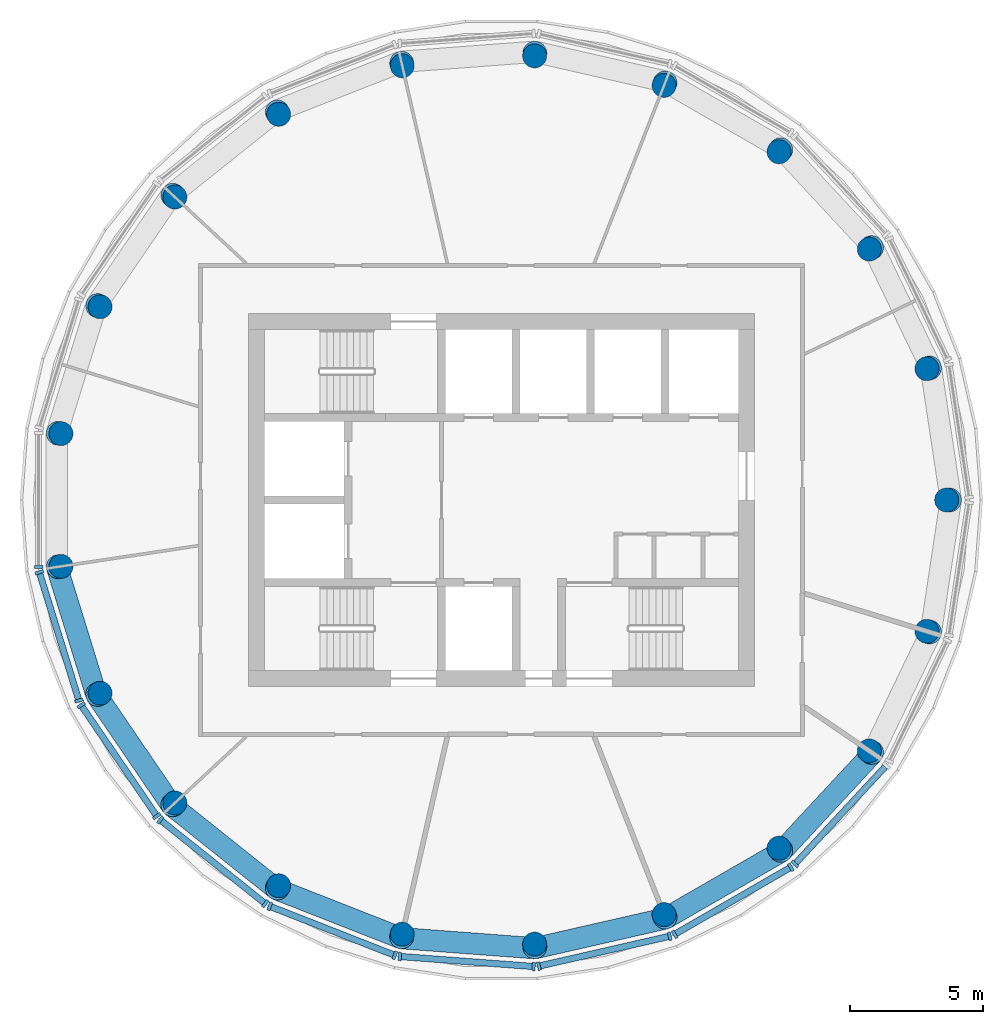
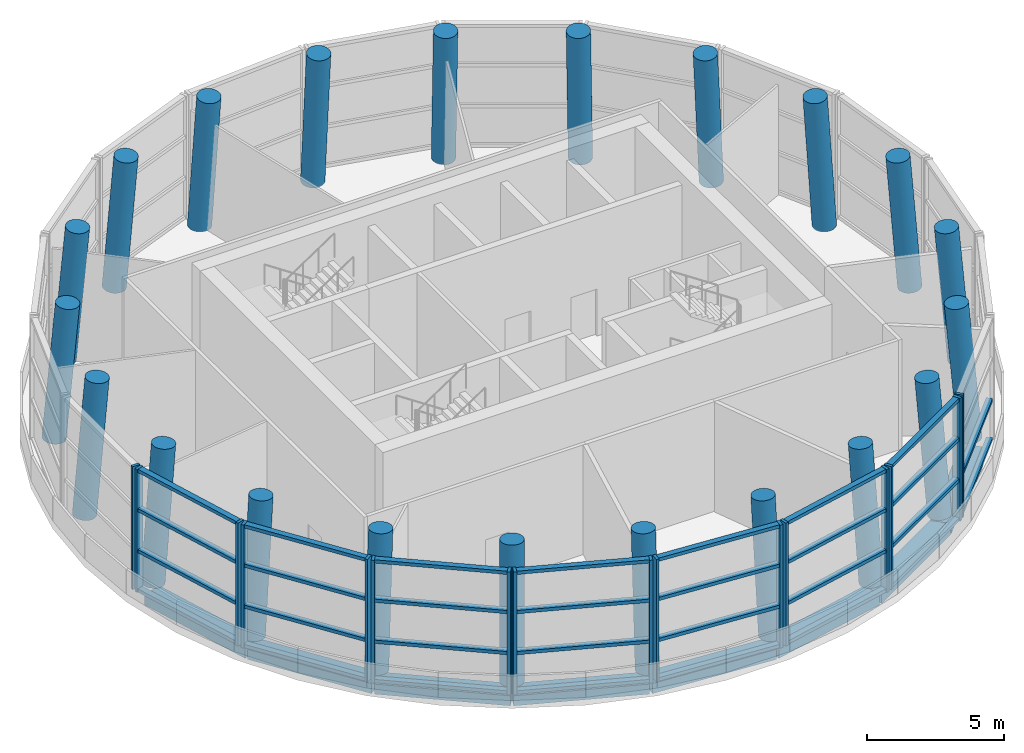
# One storey, part 1 of 10: 46 members, 21 columns, 8 beams, 9 elements without a shape of their own.
"""IFC4 building model written with IfcOpenShell, lengths in metres."""

import ifcopenshell
import ifcopenshell.guid

model = None  # the IFC model being written
_history = None  # IfcOwnerHistory: only IFC2X3 demands one
_inside = {}  # id of a spatial element -> (the spatial element, [elements in it])
_under = {}  # id of a project, library or spatial element -> (it, [spatial elements below it])
_declared = {}  # id of a project -> (the project, [libraries it declares])
_typed = {}  # id of a type object -> (the type object, [elements of that type])
_made_of = {}  # id of a material, layer set ... -> (it, [elements and type objects made of it])


def new_model(schema):
    """Start an empty IFC model of exactly this schema.

    Asked for "IFC4X3", IfcOpenShell would pick the latest addendum, in which some entities
    have other attributes; the version numbers below select the first issue.
    IFC2X3 requires an IfcOwnerHistory on every rooted entity: one is made here for all.
    """
    global model, _history
    if schema == "IFC4X3":
        model = ifcopenshell.file(schema_version=(4, 3, 0, 0))
    else:
        model = ifcopenshell.file(schema=schema)
    _inside.clear()
    _under.clear()
    _declared.clear()
    _typed.clear()
    _made_of.clear()
    _history = None
    if model.schema == "IFC2X3":
        org = make("IfcOrganization", Name="unknown")
        user = make(
            "IfcPersonAndOrganization",
            ThePerson=make("IfcPerson", FamilyName="unknown"),
            TheOrganization=org,
        )
        app = make(
            "IfcApplication",
            ApplicationDeveloper=org,
            Version="unknown",
            ApplicationFullName="unknown",
            ApplicationIdentifier="unknown",
        )
        _history = make(
            "IfcOwnerHistory",
            OwningUser=user,
            OwningApplication=app,
            ChangeAction="ADDED",
            CreationDate=0,
        )
    return model


def make(cls, **values):
    """One entity of the class cls with the attributes given. An attribute that is None is left unset."""
    return model.create_entity(
        cls, **{name: value for name, value in values.items() if value is not None}
    )


def rooted(cls, **values):
    """An entity with a GlobalId (a new one), such as an element, a storey or a relation."""
    return make(cls, GlobalId=ifcopenshell.guid.new(), OwnerHistory=_history, **values)


def si_unit(unit_type, name, prefix=None):
    """IfcSIUnit, for example si_unit("LENGTHUNIT", "METRE", prefix="MILLI")."""
    return make("IfcSIUnit", UnitType=unit_type, Prefix=prefix, Name=name)


def assignment(units):
    """IfcUnitAssignment: the units of a project."""
    return None if units is None else make("IfcUnitAssignment", Units=units)


def point(xyz):
    """IfcCartesianPoint."""
    return None if xyz is None else make("IfcCartesianPoint", Coordinates=xyz)


def direction(xyz):
    """IfcDirection."""
    return None if xyz is None else make("IfcDirection", DirectionRatios=xyz)


def frame(location, z_axis=None, x_axis=None):
    """IfcAxis2Placement3D, a coordinate frame: its origin and axes. An axis left out is left unset."""
    return make(
        "IfcAxis2Placement3D",
        Location=point(location),
        Axis=direction(z_axis),
        RefDirection=direction(x_axis),
    )


def frame_2d(location, x_axis=None):
    """IfcAxis2Placement2D, a coordinate frame in the plane: its origin and x axis."""
    return make(
        "IfcAxis2Placement2D", Location=point(location), RefDirection=direction(x_axis)
    )


def origin():
    """The frame at (0, 0, 0) with its axes left unset."""
    return frame((0.0, 0.0, 0.0))


def origin_2d():
    """The frame at (0, 0) in the plane with its x axis left unset."""
    return frame_2d((0.0, 0.0))


def place(relative_to, where):
    """IfcLocalPlacement: puts the frame where relative to a parent placement (None: the world)."""
    return make(
        "IfcLocalPlacement", PlacementRelTo=relative_to, RelativePlacement=where
    )


def context(
    kind, dimensions, precision=None, world=None, true_north=None, identifier=None
):
    """IfcGeometricRepresentationContext, for example the 3D "Model" context."""
    return make(
        "IfcGeometricRepresentationContext",
        ContextIdentifier=identifier,
        ContextType=kind,
        CoordinateSpaceDimension=dimensions,
        Precision=precision,
        WorldCoordinateSystem=world,
        TrueNorth=true_north,
    )


def subcontext(parent, identifier, kind, view, scale=None):
    """IfcGeometricRepresentationSubContext, for example "Body" below "Model"."""
    return make(
        "IfcGeometricRepresentationSubContext",
        ContextIdentifier=identifier,
        ContextType=kind,
        ParentContext=parent,
        TargetScale=scale,
        TargetView=view,
    )


def project(units=None, contexts=None):
    """IfcProject with its units and contexts."""
    return rooted(
        "IfcProject",
        Name="project",
        RepresentationContexts=contexts,
        UnitsInContext=assignment(units),
    )


def spatial(cls, under=None, at=None, **own):
    """A site, building, storey or space (cls), placed at a placement, below another one or the project."""
    s = rooted(cls, ObjectPlacement=at, **own)
    if under is not None:
        _under.setdefault(under.id(), (under, []))[1].append(s)
    return s


def profile(cls, at=None, kind="AREA", **sizes):
    """A parametric profile (cls). Its sizes go by their IFC names, for example OverallWidth=200.0."""
    return make(cls, ProfileType=kind, Position=at, **sizes)


def rectangle(**sizes):
    """IfcRectangleProfileDef."""
    return profile("IfcRectangleProfileDef", **sizes)


def circle(**sizes):
    """IfcCircleProfileDef."""
    return profile("IfcCircleProfileDef", **sizes)


def extrude(swept, where, along, depth):
    """IfcExtrudedAreaSolid: the profile swept, set in the frame where, extruded along a direction by depth."""
    return make(
        "IfcExtrudedAreaSolid",
        SweptArea=swept,
        Position=where,
        ExtrudedDirection=direction(along),
        Depth=depth,
    )


def shape(context_of_items, identifier, shape_type, items):
    """IfcShapeRepresentation: the items that make up one representation, for example the "Body"."""
    return make(
        "IfcShapeRepresentation",
        ContextOfItems=context_of_items,
        RepresentationIdentifier=identifier,
        RepresentationType=shape_type,
        Items=items,
    )


def material(Name=None, Category=None):
    """IfcMaterial."""
    return make("IfcMaterial", Name=Name, Category=Category)


def material_profile(
    of_material, cross_section, Name=None, Category=None, Priority=None
):
    """IfcMaterialProfile: a cross section and its material."""
    return make(
        "IfcMaterialProfile",
        Name=Name,
        Material=of_material,
        Profile=cross_section,
        Priority=Priority,
        Category=Category,
    )


def profile_set(profiles, Name=None, composite=None):
    """IfcMaterialProfileSet."""
    return make(
        "IfcMaterialProfileSet",
        Name=Name,
        MaterialProfiles=profiles,
        CompositeProfile=composite,
    )


def made_of(thing, what):
    """Note that an element or type object is made of a material, layer set ...; save() writes the relation."""
    if what is not None:
        _made_of.setdefault(what.id(), (what, []))[1].append(thing)
    return thing


def type_object(cls, material=None, **own):
    """A type object (cls), such as IfcWallType, which elements share."""
    return made_of(rooted(cls, **own), material)


def element(
    cls,
    number,
    at=None,
    inside=None,
    cuts=None,
    type_object=None,
    material=None,
    context=None,
    identifier="Body",
    shape_type=None,
    held_by="IfcProductDefinitionShape",
    body=None,
    shapes=None,
    **own,
):
    """One element of the class cls, such as IfcWall. Its Tag is "e" and its number.

    at: its placement. inside: the storey or other place that contains it. cuts: it is an
    opening in that element (IfcRelVoidsElement). A single representation is given by context,
    identifier, shape_type and body (its items); several are given by shapes. held_by: the class
    of the entity that holds the representations. save() writes the other relations.
    """
    e = rooted(cls, Tag="e%d" % number, ObjectPlacement=at, **own)
    if body is not None:
        shapes = [shape(context, identifier, shape_type, body)]
    if shapes is not None:
        e.Representation = make(held_by, Representations=shapes)
    if inside is not None:
        _inside.setdefault(inside.id(), (inside, []))[1].append(e)
    if cuts is not None:
        rooted(
            "IfcRelVoidsElement", RelatingBuildingElement=cuts, RelatedOpeningElement=e
        )
    if type_object is not None:
        _typed.setdefault(type_object.id(), (type_object, []))[1].append(e)
    return made_of(e, material)


def aggregate(whole, parts):
    """IfcRelAggregates: a whole, such as a stair, and the parts it consists of."""
    return rooted("IfcRelAggregates", RelatingObject=whole, RelatedObjects=parts)


def save(model, path):
    """Write the relations noted so far, then the file.

    IfcRelAggregates (storeys below a building ...), IfcRelContainedInSpatialStructure (elements
    in a storey), IfcRelDefinesByType, IfcRelAssociatesMaterial and IfcRelDeclares: one each for
    every whole, place, type object, material and project.
    """
    for whole, parts in _under.values():
        aggregate(whole, parts)
    for where, things in _inside.values():
        rooted(
            "IfcRelContainedInSpatialStructure",
            RelatedElements=things,
            RelatingStructure=where,
        )
    for kind, things in _typed.values():
        rooted("IfcRelDefinesByType", RelatedObjects=things, RelatingType=kind)
    for what, things in _made_of.values():
        rooted("IfcRelAssociatesMaterial", RelatedObjects=things, RelatingMaterial=what)
    for by, libraries in _declared.values():
        rooted("IfcRelDeclares", RelatingContext=by, RelatedDefinitions=libraries)
    model.write(path)


model = new_model("IFC4")

# Units and contexts
model_context = context("Model", 3, precision=1e-05, world=origin(), true_north=direction((0.0, 1.0)))
body_context = subcontext(model_context, "Body", "Model", "MODEL_VIEW")
ifc_project = project(units=[si_unit("LENGTHUNIT", "METRE"), si_unit("AREAUNIT", "SQUARE_METRE"), si_unit("VOLUMEUNIT", "CUBIC_METRE"), si_unit("PLANEANGLEUNIT", "RADIAN"), si_unit("MASSUNIT", "GRAM", prefix="KILO")], contexts=[model_context])

# Site, building, storey
site_placement = place(None, origin())
site = spatial("IfcSite", under=ifc_project, at=site_placement, CompositionType="ELEMENT")
building_placement = place(site_placement, origin())
building = spatial("IfcBuilding", under=site, at=building_placement, Name="Tracery Tower", CompositionType="ELEMENT")
storey_placement = place(building_placement, frame((0.0, 0.0, 352.199951171875)))
storey = spatial("IfcBuildingStorey", under=building, at=storey_placement, Name="L90", CompositionType="ELEMENT", Elevation=352.199951171875)

# Columns
ifc_material_1 = material(Name="Concrete C40/50", Category="concrete")
ifc_material_profile_1 = material_profile(ifc_material_1, circle(Radius=0.449951171875, at=origin_2d()), Name="RC D900")
ifc_profile_set_1 = profile_set([ifc_material_profile_1], Name="Concrete C40/50")
column_type = type_object("IfcColumnType", Name="Ring 2 column 900", PredefinedType="COLUMN", material=ifc_profile_set_1)
for number, where, z_axis, x_axis, name in (
    (1, (16.822265625, 0.0, 0.0), (-0.083045479854, 0.0, 0.996545758245), (0.0, -1.0, 0.0), "Ring 2 column 00 at L90"),
    (2, (16.07470703125, 4.95849609375, 0.0), (-0.079315152806, -0.024492000151, 0.996548668387), (0.295046833554, -0.955482792106, 0.0), "Ring 2 column 01 at L90"),
    (3, (13.899169921875, 9.476318359375, 0.0), (-0.068609824233, -0.046794170901, 0.99654553212), (0.563458024042, -0.826144693829, 0.0), "Ring 2 column 02 at L90"),
    (4, (10.488525390625, 13.152099609375, 0.0), (-0.051781792178, -0.064919850648, 0.996546064661), (0.781773136815, -0.623562957972, 0.0), "Ring 2 column 03 at L90"),
    (5, (6.145751953125, 15.6591796875, 0.0), (-0.030331112906, -0.077287568447, 0.996547367341), (0.930882032679, -0.365319916287, 0.0), "Ring 2 column 04 at L90"),
    (6, (1.257080078125, 16.775146484375, 0.0), (-0.006204087027, -0.082802259542, 0.996546684867), (0.997204770402, -0.074717105716, 0.0), "Ring 2 column 05 at L90"),
    (7, (-3.743408203125, 16.400390625, 0.0), (0.018490630878, -0.080937059721, 0.996547685228), (0.974882751199, 0.222718704683, 0.0), "Ring 2 column 06 at L90"),
    (8, (-8.4111328125, 14.568603515625, 0.0), (0.04152269391, -0.071934823239, 0.99654465384), (0.866071776036, 0.499919672301, 0.0), "Ring 2 column 07 at L90"),
    (9, (-12.33154296875, 11.44189453125, 0.0), (0.060864918349, -0.056485563797, 0.996546457922), (0.68024503694, 0.732984781369, 0.0), "Ring 2 column 08 at L90"),
    (10, (-15.15625, 7.298828125, 0.0), (0.074813918476, -0.036048549336, 0.996545723835), (0.434079857909, 0.900874395772, 0.0), "Ring 2 column 09 at L90"),
    (11, (-16.63427734375, 2.507080078125, 0.0), (0.082112884337, -0.012367619616, 0.996546294063), (0.14893739329, 0.988846627582, 0.0), "Ring 2 column 10 at L90"),
    (12, (-16.63427734375, -2.507080078125, 0.0), (0.082112884337, 0.012367619616, 0.996546294063), (-0.14893739329, 0.988846627582, 0.0), "Ring 2 column 11 at L90"),
    (13, (-15.15625, -7.298828125, 0.0), (0.074813918476, 0.036048549336, 0.996545723835), (-0.434079857909, 0.900874395772, 0.0), "Ring 2 column 12 at L90"),
    (14, (-12.33154296875, -11.44189453125, 0.0), (0.060864918349, 0.056485563797, 0.996546457922), (-0.68024503694, 0.732984781369, 0.0), "Ring 2 column 13 at L90"),
    (15, (-8.4111328125, -14.568603515625, 0.0), (0.04152269391, 0.071934823239, 0.99654465384), (-0.866071776036, 0.499919672301, 0.0), "Ring 2 column 14 at L90"),
    (16, (-3.743408203125, -16.400390625, 0.0), (0.018490630878, 0.080937059721, 0.996547685228), (-0.974882751199, 0.222718704683, 0.0), "Ring 2 column 15 at L90"),
    (17, (1.257080078125, -16.775146484375, 0.0), (-0.006204087027, 0.082802259542, 0.996546684867), (-0.997204770402, -0.074717105716, 0.0), "Ring 2 column 16 at L90"),
    (18, (6.145751953125, -15.6591796875, 0.0), (-0.030331112906, 0.077287568447, 0.996547367341), (-0.930882032679, -0.365319916287, 0.0), "Ring 2 column 17 at L90"),
    (19, (10.488525390625, -13.152099609375, 0.0), (-0.051781792178, 0.064919850648, 0.996546064661), (-0.781773136815, -0.623562957972, 0.0), "Ring 2 column 18 at L90"),
    (20, (13.899169921875, -9.476318359375, 0.0), (-0.068609824233, 0.046794170901, 0.99654553212), (-0.563458024042, -0.826144693829, 0.0), "Ring 2 column 19 at L90"),
    (21, (16.07470703125, -4.95849609375, 0.0), (-0.079315152806, 0.024492000151, 0.996548668387), (-0.295046833554, -0.955482792106, 0.0), "Ring 2 column 20 at L90"),
):
    element("IfcColumn", number, at=place(storey_placement, frame(where, z_axis=z_axis, x_axis=x_axis)), inside=storey, type_object=column_type, Name=name, PredefinedType="COLUMN", context=body_context, shape_type="SweptSolid", body=[
        extrude(circle(Radius=0.449951171875, at=origin_2d()), origin(), (0.0, 0.0, 1.0), 6.020751953125),
    ])

# Curtain wall, member
ifc_material_2 = material(Name="Aluminium curtain wall with tinted glass", Category="aluminium")
curtain_wall_type = type_object("IfcCurtainWallType", Name="Observation upper deck glazing curtain wall", PredefinedType="NOTDEFINED", material=ifc_material_2)
curtain_wall_1_placement = place(storey_placement, origin())
curtain_wall_1 = element("IfcCurtainWall", 22, at=curtain_wall_1_placement, inside=storey, type_object=curtain_wall_type, Name="Observation upper deck glazing run 10", PredefinedType="NOTDEFINED")
ifc_material_3 = material(Name="Aluminium, bronze anodised", Category="aluminium")
ifc_material_profile_2 = material_profile(ifc_material_3, rectangle(XDim=0.320068359375, YDim=0.1201171875, at=origin_2d()), Name="Observation upper deck glazing mullion 120 x 320")
ifc_profile_set_2 = profile_set([ifc_material_profile_2], Name="Aluminium, bronze anodised")
member_type_1 = type_object("IfcMemberType", Name="Observation upper deck glazing mullion 120 x 320", PredefinedType="MULLION", material=ifc_profile_set_2)
member_1_placement = place(storey_placement, frame((-17.3759765625, -2.51904296875, 0.0), z_axis=(0.0, 0.0, 1.0), x_axis=(1.0, 0.0, 0.0)))
member_1 = element("IfcMember", 23, at=member_1_placement, type_object=member_type_1, Name="CWB5 mullion 2", PredefinedType="MULLION", context=body_context, shape_type="SweptSolid", body=[
    extrude(rectangle(XDim=0.320068359375, YDim=0.1201171875, at=origin_2d()), origin(), (0.0, 0.0, 1.0), 5.5),
])
aggregate(curtain_wall_1, [member_1])

# Curtain wall, members
curtain_wall_2_placement = place(storey_placement, origin())
curtain_wall_2 = element("IfcCurtainWall", 24, at=curtain_wall_2_placement, inside=storey, type_object=curtain_wall_type, Name="Observation upper deck glazing run 11", PredefinedType="NOTDEFINED")
member_2_placement = place(storey_placement, frame((-17.346435546875, -2.714599609375, 0.0), z_axis=(0.0, 0.0, 1.0), x_axis=(0.95557631684, 0.294743791615, 0.0)))
member_2 = element("IfcMember", 25, at=member_2_placement, type_object=member_type_1, Name="CWB5 mullion 1", PredefinedType="MULLION", context=body_context, shape_type="SweptSolid", body=[
    extrude(rectangle(XDim=0.320068359375, YDim=0.1201171875, at=origin_2d()), origin(), (0.0, 0.0, 1.0), 5.5),
])
member_3_placement = place(storey_placement, frame((-15.861572265625, -7.52880859375, 0.0), z_axis=(0.0, 0.0, 1.0), x_axis=(0.95557631684, 0.294743791615, 0.0)))
member_3 = element("IfcMember", 26, at=member_3_placement, type_object=member_type_1, Name="CWB5 mullion 2", PredefinedType="MULLION", context=body_context, shape_type="SweptSolid", body=[
    extrude(rectangle(XDim=0.320068359375, YDim=0.1201171875, at=origin_2d()), origin(), (0.0, 0.0, 1.0), 5.5),
])

curtain_wall_3_placement = place(storey_placement, origin())
curtain_wall_3 = element("IfcCurtainWall", 27, at=curtain_wall_3_placement, inside=storey, type_object=curtain_wall_type, Name="Observation upper deck glazing run 12", PredefinedType="NOTDEFINED")
member_4_placement = place(storey_placement, frame((-15.775634765625, -7.706787109375, 0.0), z_axis=(0.0, 0.0, 1.0), x_axis=(0.826242928802, 0.563313964504, 0.0)))
member_4 = element("IfcMember", 28, at=member_4_placement, type_object=member_type_1, Name="CWB5 mullion 1", PredefinedType="MULLION", context=body_context, shape_type="SweptSolid", body=[
    extrude(rectangle(XDim=0.320068359375, YDim=0.1201171875, at=origin_2d()), origin(), (0.0, 0.0, 1.0), 5.5),
])
member_5_placement = place(storey_placement, frame((-12.937744140625, -11.86962890625, 0.0), z_axis=(0.0, 0.0, 1.0), x_axis=(0.826242928802, 0.563313964504, 0.0)))
member_5 = element("IfcMember", 29, at=member_5_placement, type_object=member_type_1, Name="CWB5 mullion 2", PredefinedType="MULLION", context=body_context, shape_type="SweptSolid", body=[
    extrude(rectangle(XDim=0.320068359375, YDim=0.1201171875, at=origin_2d()), origin(), (0.0, 0.0, 1.0), 5.5),
])

curtain_wall_4_placement = place(storey_placement, origin())
curtain_wall_4 = element("IfcCurtainWall", 30, at=curtain_wall_4_placement, inside=storey, type_object=curtain_wall_type, Name="Observation upper deck glazing run 13", PredefinedType="NOTDEFINED")
member_6_placement = place(storey_placement, frame((-12.80322265625, -12.014404296875, 0.0), z_axis=(0.0, 0.0, 1.0), x_axis=(0.623481395418, 0.781838186307, 0.0)))
member_6 = element("IfcMember", 31, at=member_6_placement, type_object=member_type_1, Name="CWB5 mullion 1", PredefinedType="MULLION", context=body_context, shape_type="SweptSolid", body=[
    extrude(rectangle(XDim=0.320068359375, YDim=0.1201171875, at=origin_2d()), origin(), (0.0, 0.0, 1.0), 5.5),
])
member_7_placement = place(storey_placement, frame((-8.8642578125, -15.155517578125, 0.0), z_axis=(0.0, 0.0, 1.0), x_axis=(0.623481395418, 0.781838186307, 0.0)))
member_7 = element("IfcMember", 32, at=member_7_placement, type_object=member_type_1, Name="CWB5 mullion 2", PredefinedType="MULLION", context=body_context, shape_type="SweptSolid", body=[
    extrude(rectangle(XDim=0.320068359375, YDim=0.1201171875, at=origin_2d()), origin(), (0.0, 0.0, 1.0), 5.5),
])

curtain_wall_5_placement = place(storey_placement, origin())
curtain_wall_5 = element("IfcCurtainWall", 33, at=curtain_wall_5_placement, inside=storey, type_object=curtain_wall_type, Name="Observation upper deck glazing run 14", PredefinedType="NOTDEFINED")
member_8_placement = place(storey_placement, frame((-8.693115234375, -15.254638671875, 0.0), z_axis=(0.0, 0.0, 1.0), x_axis=(0.365332643928, 0.93087703768, 0.0)))
member_8 = element("IfcMember", 34, at=member_8_placement, type_object=member_type_1, Name="CWB5 mullion 1", PredefinedType="MULLION", context=body_context, shape_type="SweptSolid", body=[
    extrude(rectangle(XDim=0.320068359375, YDim=0.1201171875, at=origin_2d()), origin(), (0.0, 0.0, 1.0), 5.5),
])
member_9_placement = place(storey_placement, frame((-4.003173828125, -17.094970703125, 0.0), z_axis=(0.0, 0.0, 1.0), x_axis=(0.365332643928, 0.93087703768, 0.0)))
member_9 = element("IfcMember", 35, at=member_9_placement, type_object=member_type_1, Name="CWB5 mullion 2", PredefinedType="MULLION", context=body_context, shape_type="SweptSolid", body=[
    extrude(rectangle(XDim=0.320068359375, YDim=0.1201171875, at=origin_2d()), origin(), (0.0, 0.0, 1.0), 5.5),
])

curtain_wall_6_placement = place(storey_placement, origin())
curtain_wall_6 = element("IfcCurtainWall", 36, at=curtain_wall_6_placement, inside=storey, type_object=curtain_wall_type, Name="Observation upper deck glazing run 15", PredefinedType="NOTDEFINED")
member_10_placement = place(storey_placement, frame((-3.810546875, -17.13916015625, 0.0), z_axis=(0.0, 0.0, 1.0), x_axis=(0.074737895326, 0.997203212491, 0.0)))
member_10 = element("IfcMember", 37, at=member_10_placement, type_object=member_type_1, Name="CWB5 mullion 1", PredefinedType="MULLION", context=body_context, shape_type="SweptSolid", body=[
    extrude(rectangle(XDim=0.320068359375, YDim=0.1201171875, at=origin_2d()), origin(), (0.0, 0.0, 1.0), 5.5),
])
member_11_placement = place(storey_placement, frame((1.21337890625, -17.515625, 0.0), z_axis=(0.0, 0.0, 1.0), x_axis=(0.074737895326, 0.997203212491, 0.0)))
member_11 = element("IfcMember", 38, at=member_11_placement, type_object=member_type_1, Name="CWB5 mullion 2", PredefinedType="MULLION", context=body_context, shape_type="SweptSolid", body=[
    extrude(rectangle(XDim=0.320068359375, YDim=0.1201171875, at=origin_2d()), origin(), (0.0, 0.0, 1.0), 5.5),
])

curtain_wall_7_placement = place(storey_placement, origin())
curtain_wall_7 = element("IfcCurtainWall", 39, at=curtain_wall_7_placement, inside=storey, type_object=curtain_wall_type, Name="Observation upper deck glazing run 16", PredefinedType="NOTDEFINED")
member_12_placement = place(storey_placement, frame((1.41064453125, -17.500732421875, 0.0), z_axis=(0.0, 0.0, 1.0), x_axis=(-0.222531044196, 0.974925604531, 0.0)))
member_12 = element("IfcMember", 40, at=member_12_placement, type_object=member_type_1, Name="CWB5 mullion 1", PredefinedType="MULLION", context=body_context, shape_type="SweptSolid", body=[
    extrude(rectangle(XDim=0.320068359375, YDim=0.1201171875, at=origin_2d()), origin(), (0.0, 0.0, 1.0), 5.5),
])
member_13_placement = place(storey_placement, frame((6.322265625, -16.379638671875, 0.0), z_axis=(0.0, 0.0, 1.0), x_axis=(-0.222531044196, 0.974925604531, 0.0)))
member_13 = element("IfcMember", 41, at=member_13_placement, type_object=member_type_1, Name="CWB5 mullion 2", PredefinedType="MULLION", context=body_context, shape_type="SweptSolid", body=[
    extrude(rectangle(XDim=0.320068359375, YDim=0.1201171875, at=origin_2d()), origin(), (0.0, 0.0, 1.0), 5.5),
])

curtain_wall_8_placement = place(storey_placement, origin())
curtain_wall_8 = element("IfcCurtainWall", 42, at=curtain_wall_8_placement, inside=storey, type_object=curtain_wall_type, Name="Observation upper deck glazing run 17", PredefinedType="NOTDEFINED")
member_14_placement = place(storey_placement, frame((6.50634765625, -16.3076171875, 0.0), z_axis=(0.0, 0.0, 1.0), x_axis=(-0.500004955821, 0.866022542521, 0.0)))
member_14 = element("IfcMember", 43, at=member_14_placement, type_object=member_type_1, Name="CWB5 mullion 1", PredefinedType="MULLION", context=body_context, shape_type="SweptSolid", body=[
    extrude(rectangle(XDim=0.320068359375, YDim=0.1201171875, at=origin_2d()), origin(), (0.0, 0.0, 1.0), 5.5),
])
member_15_placement = place(storey_placement, frame((10.869384765625, -13.78857421875, 0.0), z_axis=(0.0, 0.0, 1.0), x_axis=(-0.500004955821, 0.866022542521, 0.0)))
member_15 = element("IfcMember", 44, at=member_15_placement, type_object=member_type_1, Name="CWB5 mullion 2", PredefinedType="MULLION", context=body_context, shape_type="SweptSolid", body=[
    extrude(rectangle(XDim=0.320068359375, YDim=0.1201171875, at=origin_2d()), origin(), (0.0, 0.0, 1.0), 5.5),
])

# Curtain wall, member
curtain_wall_9_placement = place(storey_placement, origin())
curtain_wall_9 = element("IfcCurtainWall", 45, at=curtain_wall_9_placement, inside=storey, type_object=curtain_wall_type, Name="Observation upper deck glazing run 18", PredefinedType="NOTDEFINED")
member_16_placement = place(storey_placement, frame((11.024169921875, -13.665283203125, 0.0), z_axis=(0.0, 0.0, 1.0), x_axis=(-0.733056521048, 0.680167727071, 0.0)))
member_16 = element("IfcMember", 46, at=member_16_placement, type_object=member_type_1, Name="CWB5 mullion 1", PredefinedType="MULLION", context=body_context, shape_type="SweptSolid", body=[
    extrude(rectangle(XDim=0.320068359375, YDim=0.1201171875, at=origin_2d()), origin(), (0.0, 0.0, 1.0), 5.5),
])

# Member
ifc_material_4 = material(Name="Aluminium, bronze anodised", Category="aluminium")
ifc_material_profile_3 = material_profile(ifc_material_4, rectangle(XDim=0.239990234375, YDim=0.14990234375, at=origin_2d()), Name="Observation upper deck glazing transom 150 x 240")
ifc_profile_set_3 = profile_set([ifc_material_profile_3], Name="Aluminium, bronze anodised")
member_type_2 = type_object("IfcMemberType", Name="Observation upper deck glazing transom 150 x 240", PredefinedType="USERDEFINED", material=ifc_profile_set_3)
member_17_placement = place(storey_placement, frame((-17.32861328125, -2.77197265625, 0.074951171875), z_axis=(0.294731142224, -0.955580218403, 0.0), x_axis=(0.955580218403, 0.294731142224, 0.0)))
member_17 = element("IfcMember", 47, at=member_17_placement, type_object=member_type_2, Name="CWB5 transom 1.1", ObjectType="TRANSOM", PredefinedType="USERDEFINED", context=body_context, shape_type="SweptSolid", body=[
    extrude(rectangle(XDim=0.239990234375, YDim=0.14990234375, at=origin_2d()), origin(), (0.0, 0.0, 1.0), 4.91796875),
])

member_18_placement = place(storey_placement, frame((-17.32861328125, -2.77197265625, 1.833251953125), z_axis=(0.294731142224, -0.955580218403, 0.0), x_axis=(0.955580218403, 0.294731142224, 0.0)))
member_18 = element("IfcMember", 48, at=member_18_placement, type_object=member_type_2, Name="CWB5 transom 1.2", ObjectType="TRANSOM", PredefinedType="USERDEFINED", context=body_context, shape_type="SweptSolid", body=[
    extrude(rectangle(XDim=0.239990234375, YDim=0.14990234375, at=origin_2d()), origin(), (0.0, 0.0, 1.0), 4.91796875),
])

member_19_placement = place(storey_placement, frame((-17.32861328125, -2.77197265625, 3.666748046875), z_axis=(0.294731142224, -0.955580218403, 0.0), x_axis=(0.955580218403, 0.294731142224, 0.0)))
member_19 = element("IfcMember", 49, at=member_19_placement, type_object=member_type_2, Name="CWB5 transom 1.3", ObjectType="TRANSOM", PredefinedType="USERDEFINED", context=body_context, shape_type="SweptSolid", body=[
    extrude(rectangle(XDim=0.239990234375, YDim=0.14990234375, at=origin_2d()), origin(), (0.0, 0.0, 1.0), 4.91796875),
])

member_20_placement = place(storey_placement, frame((-17.32861328125, -2.77197265625, 5.425048828125), z_axis=(0.294731142224, -0.955580218403, 0.0), x_axis=(0.955580218403, 0.294731142224, 0.0)))
member_20 = element("IfcMember", 50, at=member_20_placement, type_object=member_type_2, Name="CWB5 transom 1.4", ObjectType="TRANSOM", PredefinedType="USERDEFINED", context=body_context, shape_type="SweptSolid", body=[
    extrude(rectangle(XDim=0.239990234375, YDim=0.14990234375, at=origin_2d()), origin(), (0.0, 0.0, 1.0), 4.91796875),
])

aggregate(curtain_wall_2, [member_2, member_3, member_17, member_18, member_19, member_20])

member_21_placement = place(storey_placement, frame((-15.741943359375, -7.75634765625, 0.074951171875), z_axis=(0.563307558765, -0.826247296055, 0.0), x_axis=(0.826247296055, 0.563307558765, 0.0)))
member_21 = element("IfcMember", 51, at=member_21_placement, type_object=member_type_2, Name="CWB5 transom 1.1", ObjectType="TRANSOM", PredefinedType="USERDEFINED", context=body_context, shape_type="SweptSolid", body=[
    extrude(rectangle(XDim=0.239990234375, YDim=0.14990234375, at=origin_2d()), origin(), (0.0, 0.0, 1.0), 4.918212890625),
])

member_22_placement = place(storey_placement, frame((-15.741943359375, -7.75634765625, 1.833251953125), z_axis=(0.563307558765, -0.826247296055, 0.0), x_axis=(0.826247296055, 0.563307558765, 0.0)))
member_22 = element("IfcMember", 52, at=member_22_placement, type_object=member_type_2, Name="CWB5 transom 1.2", ObjectType="TRANSOM", PredefinedType="USERDEFINED", context=body_context, shape_type="SweptSolid", body=[
    extrude(rectangle(XDim=0.239990234375, YDim=0.14990234375, at=origin_2d()), origin(), (0.0, 0.0, 1.0), 4.918212890625),
])

member_23_placement = place(storey_placement, frame((-15.741943359375, -7.75634765625, 3.666748046875), z_axis=(0.563307558765, -0.826247296055, 0.0), x_axis=(0.826247296055, 0.563307558765, 0.0)))
member_23 = element("IfcMember", 53, at=member_23_placement, type_object=member_type_2, Name="CWB5 transom 1.3", ObjectType="TRANSOM", PredefinedType="USERDEFINED", context=body_context, shape_type="SweptSolid", body=[
    extrude(rectangle(XDim=0.239990234375, YDim=0.14990234375, at=origin_2d()), origin(), (0.0, 0.0, 1.0), 4.918212890625),
])

member_24_placement = place(storey_placement, frame((-15.741943359375, -7.75634765625, 5.425048828125), z_axis=(0.563307558765, -0.826247296055, 0.0), x_axis=(0.826247296055, 0.563307558765, 0.0)))
member_24 = element("IfcMember", 54, at=member_24_placement, type_object=member_type_2, Name="CWB5 transom 1.4", ObjectType="TRANSOM", PredefinedType="USERDEFINED", context=body_context, shape_type="SweptSolid", body=[
    extrude(rectangle(XDim=0.239990234375, YDim=0.14990234375, at=origin_2d()), origin(), (0.0, 0.0, 1.0), 4.918212890625),
])

aggregate(curtain_wall_3, [member_4, member_5, member_21, member_22, member_23, member_24])

member_25_placement = place(storey_placement, frame((-12.75634765625, -12.052001953125, 0.074951171875), z_axis=(0.781860662168, -0.623453209916, 0.0), x_axis=(0.623453209916, 0.781860662168, 0.0)))
member_25 = element("IfcMember", 55, at=member_25_placement, type_object=member_type_2, Name="CWB5 transom 1.1", ObjectType="TRANSOM", PredefinedType="USERDEFINED", context=body_context, shape_type="SweptSolid", body=[
    extrude(rectangle(XDim=0.239990234375, YDim=0.14990234375, at=origin_2d()), origin(), (0.0, 0.0, 1.0), 4.91796875),
])

member_26_placement = place(storey_placement, frame((-12.75634765625, -12.052001953125, 1.833251953125), z_axis=(0.781860662168, -0.623453209916, 0.0), x_axis=(0.623453209916, 0.781860662168, 0.0)))
member_26 = element("IfcMember", 56, at=member_26_placement, type_object=member_type_2, Name="CWB5 transom 1.2", ObjectType="TRANSOM", PredefinedType="USERDEFINED", context=body_context, shape_type="SweptSolid", body=[
    extrude(rectangle(XDim=0.239990234375, YDim=0.14990234375, at=origin_2d()), origin(), (0.0, 0.0, 1.0), 4.91796875),
])

member_27_placement = place(storey_placement, frame((-12.75634765625, -12.052001953125, 3.666748046875), z_axis=(0.781860662168, -0.623453209916, 0.0), x_axis=(0.623453209916, 0.781860662168, 0.0)))
member_27 = element("IfcMember", 57, at=member_27_placement, type_object=member_type_2, Name="CWB5 transom 1.3", ObjectType="TRANSOM", PredefinedType="USERDEFINED", context=body_context, shape_type="SweptSolid", body=[
    extrude(rectangle(XDim=0.239990234375, YDim=0.14990234375, at=origin_2d()), origin(), (0.0, 0.0, 1.0), 4.91796875),
])

member_28_placement = place(storey_placement, frame((-12.75634765625, -12.052001953125, 5.425048828125), z_axis=(0.781860662168, -0.623453209916, 0.0), x_axis=(0.623453209916, 0.781860662168, 0.0)))
member_28 = element("IfcMember", 58, at=member_28_placement, type_object=member_type_2, Name="CWB5 transom 1.4", ObjectType="TRANSOM", PredefinedType="USERDEFINED", context=body_context, shape_type="SweptSolid", body=[
    extrude(rectangle(XDim=0.239990234375, YDim=0.14990234375, at=origin_2d()), origin(), (0.0, 0.0, 1.0), 4.91796875),
])

aggregate(curtain_wall_4, [member_6, member_7, member_25, member_26, member_27, member_28])

member_29_placement = place(storey_placement, frame((-8.63720703125, -15.2763671875, 0.074951171875), z_axis=(0.930867293919, -0.36535747031, 0.0), x_axis=(0.36535747031, 0.930867293919, 0.0)))
member_29 = element("IfcMember", 59, at=member_29_placement, type_object=member_type_2, Name="CWB5 transom 1.1", ObjectType="TRANSOM", PredefinedType="USERDEFINED", context=body_context, shape_type="SweptSolid", body=[
    extrude(rectangle(XDim=0.239990234375, YDim=0.14990234375, at=origin_2d()), origin(), (0.0, 0.0, 1.0), 4.918212890625),
])

member_30_placement = place(storey_placement, frame((-8.63720703125, -15.2763671875, 1.833251953125), z_axis=(0.930867293919, -0.36535747031, 0.0), x_axis=(0.36535747031, 0.930867293919, 0.0)))
member_30 = element("IfcMember", 60, at=member_30_placement, type_object=member_type_2, Name="CWB5 transom 1.2", ObjectType="TRANSOM", PredefinedType="USERDEFINED", context=body_context, shape_type="SweptSolid", body=[
    extrude(rectangle(XDim=0.239990234375, YDim=0.14990234375, at=origin_2d()), origin(), (0.0, 0.0, 1.0), 4.918212890625),
])

member_31_placement = place(storey_placement, frame((-8.63720703125, -15.2763671875, 3.666748046875), z_axis=(0.930867293919, -0.36535747031, 0.0), x_axis=(0.36535747031, 0.930867293919, 0.0)))
member_31 = element("IfcMember", 61, at=member_31_placement, type_object=member_type_2, Name="CWB5 transom 1.3", ObjectType="TRANSOM", PredefinedType="USERDEFINED", context=body_context, shape_type="SweptSolid", body=[
    extrude(rectangle(XDim=0.239990234375, YDim=0.14990234375, at=origin_2d()), origin(), (0.0, 0.0, 1.0), 4.918212890625),
])

member_32_placement = place(storey_placement, frame((-8.63720703125, -15.2763671875, 5.425048828125), z_axis=(0.930867293919, -0.36535747031, 0.0), x_axis=(0.36535747031, 0.930867293919, 0.0)))
member_32 = element("IfcMember", 62, at=member_32_placement, type_object=member_type_2, Name="CWB5 transom 1.4", ObjectType="TRANSOM", PredefinedType="USERDEFINED", context=body_context, shape_type="SweptSolid", body=[
    extrude(rectangle(XDim=0.239990234375, YDim=0.14990234375, at=origin_2d()), origin(), (0.0, 0.0, 1.0), 4.918212890625),
])

aggregate(curtain_wall_5, [member_8, member_9, member_29, member_30, member_31, member_32])

member_33_placement = place(storey_placement, frame((-3.750732421875, -17.1435546875, 0.074951171875), z_axis=(0.997201530828, -0.07476032982, 0.0), x_axis=(0.07476032982, 0.997201530828, 0.0)))
member_33 = element("IfcMember", 63, at=member_33_placement, type_object=member_type_2, Name="CWB5 transom 1.1", ObjectType="TRANSOM", PredefinedType="USERDEFINED", context=body_context, shape_type="SweptSolid", body=[
    extrude(rectangle(XDim=0.239990234375, YDim=0.14990234375, at=origin_2d()), origin(), (0.0, 0.0, 1.0), 4.91796875),
])

member_34_placement = place(storey_placement, frame((-3.750732421875, -17.1435546875, 1.833251953125), z_axis=(0.997201530828, -0.07476032982, 0.0), x_axis=(0.07476032982, 0.997201530828, 0.0)))
member_34 = element("IfcMember", 64, at=member_34_placement, type_object=member_type_2, Name="CWB5 transom 1.2", ObjectType="TRANSOM", PredefinedType="USERDEFINED", context=body_context, shape_type="SweptSolid", body=[
    extrude(rectangle(XDim=0.239990234375, YDim=0.14990234375, at=origin_2d()), origin(), (0.0, 0.0, 1.0), 4.91796875),
])

member_35_placement = place(storey_placement, frame((-3.750732421875, -17.1435546875, 3.666748046875), z_axis=(0.997201530828, -0.07476032982, 0.0), x_axis=(0.07476032982, 0.997201530828, 0.0)))
member_35 = element("IfcMember", 65, at=member_35_placement, type_object=member_type_2, Name="CWB5 transom 1.3", ObjectType="TRANSOM", PredefinedType="USERDEFINED", context=body_context, shape_type="SweptSolid", body=[
    extrude(rectangle(XDim=0.239990234375, YDim=0.14990234375, at=origin_2d()), origin(), (0.0, 0.0, 1.0), 4.91796875),
])

member_36_placement = place(storey_placement, frame((-3.750732421875, -17.1435546875, 5.425048828125), z_axis=(0.997201530828, -0.07476032982, 0.0), x_axis=(0.07476032982, 0.997201530828, 0.0)))
member_36 = element("IfcMember", 66, at=member_36_placement, type_object=member_type_2, Name="CWB5 transom 1.4", ObjectType="TRANSOM", PredefinedType="USERDEFINED", context=body_context, shape_type="SweptSolid", body=[
    extrude(rectangle(XDim=0.239990234375, YDim=0.14990234375, at=origin_2d()), origin(), (0.0, 0.0, 1.0), 4.91796875),
])

aggregate(curtain_wall_6, [member_10, member_11, member_33, member_34, member_35, member_36])

member_37_placement = place(storey_placement, frame((1.46923828125, -17.487548828125, 0.074951171875), z_axis=(0.974922242751, 0.222545771895, 0.0), x_axis=(-0.222545771895, 0.974922242751, 0.0)))
member_37 = element("IfcMember", 67, at=member_37_placement, type_object=member_type_2, Name="CWB5 transom 1.1", ObjectType="TRANSOM", PredefinedType="USERDEFINED", context=body_context, shape_type="SweptSolid", body=[
    extrude(rectangle(XDim=0.239990234375, YDim=0.14990234375, at=origin_2d()), origin(), (0.0, 0.0, 1.0), 4.91796875),
])

member_38_placement = place(storey_placement, frame((1.46923828125, -17.487548828125, 1.833251953125), z_axis=(0.974922242751, 0.222545771895, 0.0), x_axis=(-0.222545771895, 0.974922242751, 0.0)))
member_38 = element("IfcMember", 68, at=member_38_placement, type_object=member_type_2, Name="CWB5 transom 1.2", ObjectType="TRANSOM", PredefinedType="USERDEFINED", context=body_context, shape_type="SweptSolid", body=[
    extrude(rectangle(XDim=0.239990234375, YDim=0.14990234375, at=origin_2d()), origin(), (0.0, 0.0, 1.0), 4.91796875),
])

member_39_placement = place(storey_placement, frame((1.46923828125, -17.487548828125, 3.666748046875), z_axis=(0.974922242751, 0.222545771895, 0.0), x_axis=(-0.222545771895, 0.974922242751, 0.0)))
member_39 = element("IfcMember", 69, at=member_39_placement, type_object=member_type_2, Name="CWB5 transom 1.3", ObjectType="TRANSOM", PredefinedType="USERDEFINED", context=body_context, shape_type="SweptSolid", body=[
    extrude(rectangle(XDim=0.239990234375, YDim=0.14990234375, at=origin_2d()), origin(), (0.0, 0.0, 1.0), 4.91796875),
])

member_40_placement = place(storey_placement, frame((1.46923828125, -17.487548828125, 5.425048828125), z_axis=(0.974922242751, 0.222545771895, 0.0), x_axis=(-0.222545771895, 0.974922242751, 0.0)))
member_40 = element("IfcMember", 70, at=member_40_placement, type_object=member_type_2, Name="CWB5 transom 1.4", ObjectType="TRANSOM", PredefinedType="USERDEFINED", context=body_context, shape_type="SweptSolid", body=[
    extrude(rectangle(XDim=0.239990234375, YDim=0.14990234375, at=origin_2d()), origin(), (0.0, 0.0, 1.0), 4.91796875),
])

aggregate(curtain_wall_7, [member_12, member_13, member_37, member_38, member_39, member_40])

member_41_placement = place(storey_placement, frame((6.558349609375, -16.277587890625, 0.074951171875), z_axis=(0.866022726352, 0.500004637421, 0.0), x_axis=(-0.500004637421, 0.866022726352, 0.0)))
member_41 = element("IfcMember", 71, at=member_41_placement, type_object=member_type_2, Name="CWB5 transom 1.1", ObjectType="TRANSOM", PredefinedType="USERDEFINED", context=body_context, shape_type="SweptSolid", body=[
    extrude(rectangle(XDim=0.239990234375, YDim=0.14990234375, at=origin_2d()), origin(), (0.0, 0.0, 1.0), 4.91796875),
])

member_42_placement = place(storey_placement, frame((6.558349609375, -16.277587890625, 1.833251953125), z_axis=(0.866022726352, 0.500004637421, 0.0), x_axis=(-0.500004637421, 0.866022726352, 0.0)))
member_42 = element("IfcMember", 72, at=member_42_placement, type_object=member_type_2, Name="CWB5 transom 1.2", ObjectType="TRANSOM", PredefinedType="USERDEFINED", context=body_context, shape_type="SweptSolid", body=[
    extrude(rectangle(XDim=0.239990234375, YDim=0.14990234375, at=origin_2d()), origin(), (0.0, 0.0, 1.0), 4.91796875),
])

member_43_placement = place(storey_placement, frame((6.558349609375, -16.277587890625, 3.666748046875), z_axis=(0.866022726352, 0.500004637421, 0.0), x_axis=(-0.500004637421, 0.866022726352, 0.0)))
member_43 = element("IfcMember", 73, at=member_43_placement, type_object=member_type_2, Name="CWB5 transom 1.3", ObjectType="TRANSOM", PredefinedType="USERDEFINED", context=body_context, shape_type="SweptSolid", body=[
    extrude(rectangle(XDim=0.239990234375, YDim=0.14990234375, at=origin_2d()), origin(), (0.0, 0.0, 1.0), 4.91796875),
])

member_44_placement = place(storey_placement, frame((6.558349609375, -16.277587890625, 5.425048828125), z_axis=(0.866022726352, 0.500004637421, 0.0), x_axis=(-0.500004637421, 0.866022726352, 0.0)))
member_44 = element("IfcMember", 74, at=member_44_placement, type_object=member_type_2, Name="CWB5 transom 1.4", ObjectType="TRANSOM", PredefinedType="USERDEFINED", context=body_context, shape_type="SweptSolid", body=[
    extrude(rectangle(XDim=0.239990234375, YDim=0.14990234375, at=origin_2d()), origin(), (0.0, 0.0, 1.0), 4.91796875),
])

aggregate(curtain_wall_8, [member_14, member_15, member_41, member_42, member_43, member_44])

member_45_placement = place(storey_placement, frame((11.06494140625, -13.621337890625, 0.074951171875), z_axis=(0.6801520996, 0.733071020713, 0.0), x_axis=(-0.733071020713, 0.6801520996, 0.0)))
member_45 = element("IfcMember", 75, at=member_45_placement, type_object=member_type_2, Name="CWB5 transom 1.1", ObjectType="TRANSOM", PredefinedType="USERDEFINED", context=body_context, shape_type="SweptSolid", body=[
    extrude(rectangle(XDim=0.239990234375, YDim=0.14990234375, at=origin_2d()), origin(), (0.0, 0.0, 1.0), 4.91796875),
])

member_46_placement = place(storey_placement, frame((11.06494140625, -13.621337890625, 1.833251953125), z_axis=(0.6801520996, 0.733071020713, 0.0), x_axis=(-0.733071020713, 0.6801520996, 0.0)))
member_46 = element("IfcMember", 76, at=member_46_placement, type_object=member_type_2, Name="CWB5 transom 1.2", ObjectType="TRANSOM", PredefinedType="USERDEFINED", context=body_context, shape_type="SweptSolid", body=[
    extrude(rectangle(XDim=0.239990234375, YDim=0.14990234375, at=origin_2d()), origin(), (0.0, 0.0, 1.0), 4.91796875),
])

aggregate(curtain_wall_9, [member_16, member_45, member_46])

# Beams
ifc_material_5 = material(Name="Concrete C40/50", Category="concrete")
ifc_material_profile_4 = material_profile(ifc_material_5, rectangle(XDim=0.800048828125, YDim=0.449951171875, at=origin_2d()), Name="RC 800x450")
ifc_profile_set_4 = profile_set([ifc_material_profile_4], Name="Concrete C40/50")
beam_type = type_object("IfcBeamType", Name="Perimeter band beam 800x450", PredefinedType="BEAM", material=ifc_profile_set_4)
for number, where, z_axis, x_axis, name in (
    (77, (-16.68701171875, -2.51513671875, -0.574951171875), (0.294743998415, -0.955576253053, 0.0), (0.955576253053, 0.294743998415, 0.0), "Perimeter beam 2.11 under L90"),
    (78, (-15.204345703125, -7.322021484375, -0.574951171875), (0.56332778876, -0.826233503563, 0.0), (0.826233503563, 0.56332778876, 0.0), "Perimeter beam 2.12 under L90"),
    (79, (-12.37060546875, -11.478271484375, -0.574951171875), (0.781843283871, -0.62347500308, 0.0), (0.62347500308, 0.781843283871, 0.0), "Perimeter beam 2.13 under L90"),
    (80, (-8.437744140625, -14.614501953125, -0.574951171875), (0.93086706858, -0.365358044435, 0.0), (0.365358044435, 0.93086706858, 0.0), "Perimeter beam 2.14 under L90"),
    (81, (-3.755126953125, -16.452392578125, -0.574951171875), (0.997202747619, -0.074744097699, 0.0), (0.074744097699, 0.997202747619, 0.0), "Perimeter beam 2.15 under L90"),
):
    element("IfcBeam", number, at=place(storey_placement, frame(where, z_axis=z_axis, x_axis=x_axis)), inside=storey, type_object=beam_type, Name=name, PredefinedType="BEAM", context=body_context, shape_type="SweptSolid", body=[
        extrude(rectangle(XDim=0.800048828125, YDim=0.449951171875, at=origin_2d()), origin(), (0.0, 0.0, 1.0), 5.0302734375),
    ])
for number, where, z_axis, x_axis, name in (
    (82, (1.260986328125, -16.828369140625, -0.574951171875), (0.974927437473, 0.22252301378, 0.0), (-0.22252301378, 0.974927437473, 0.0), "Perimeter beam 2.16 under L90"),
    (83, (6.165283203125, -15.708984375, -0.574951171875), (0.866009394125, 0.500027728518, 0.0), (-0.500027728518, 0.866009394125, 0.0), "Perimeter beam 2.17 under L90"),
):
    element("IfcBeam", number, at=place(storey_placement, frame(where, z_axis=z_axis, x_axis=x_axis)), inside=storey, type_object=beam_type, Name=name, PredefinedType="BEAM", context=body_context, shape_type="SweptSolid", body=[
        extrude(rectangle(XDim=0.800048828125, YDim=0.449951171875, at=origin_2d()), origin(), (0.0, 0.0, 1.0), 5.030517578125),
    ])
beam_placement = place(storey_placement, frame((10.521728515625, -13.193603515625, -0.574951171875), z_axis=(0.680184837307, 0.733040644915, 0.0), x_axis=(-0.733040644915, 0.680184837307, 0.0)))
element("IfcBeam", 84, at=beam_placement, inside=storey, type_object=beam_type, Name="Perimeter beam 2.18 under L90", PredefinedType="BEAM", context=body_context, shape_type="SweptSolid", body=[
    extrude(rectangle(XDim=0.800048828125, YDim=0.449951171875, at=origin_2d()), origin(), (0.0, 0.0, 1.0), 5.030029296875),
])

save(model, "model.ifc")
